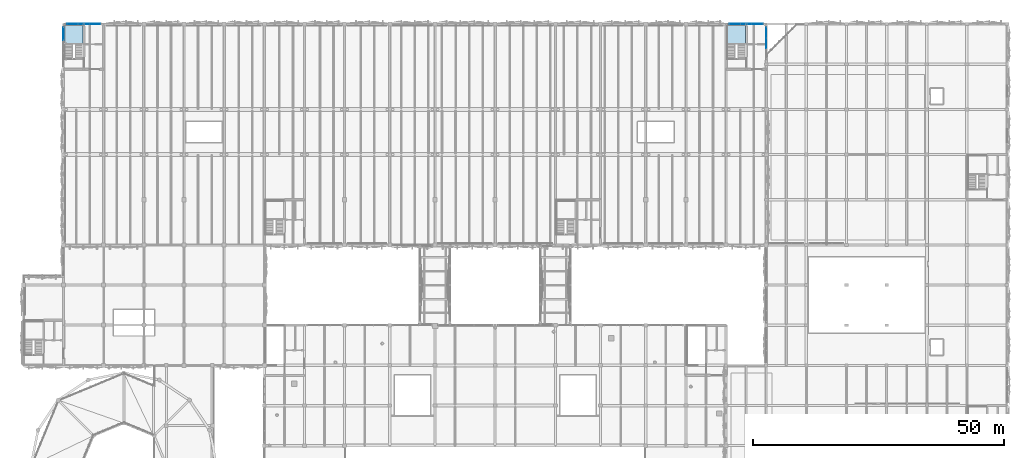
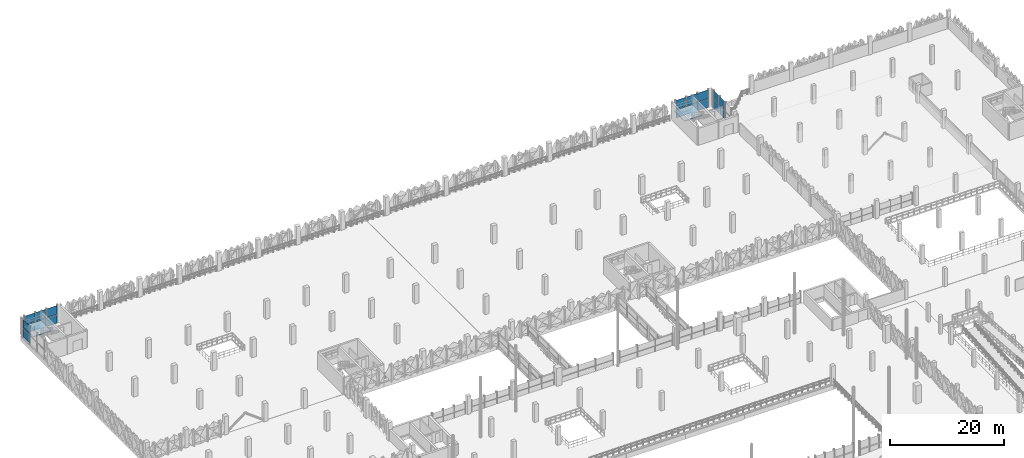
# One storey, part 66 of 123: 18 plates, 2 slabs, 6 elements without a shape of their own.
"""IFC4 building model written with IfcOpenShell, lengths in metres."""

from ifc_helpers import new_model, si_unit, derived_unit, direction, frame, origin, origin_2d, place, context, subcontext, project, spatial, polyline, rectangle, outline, extrude, material, layer, layer_set, type_object, element, aggregate, save


model = new_model("IFC4")

# Units and contexts
model_context = context("Model", 3, precision=1e-05, world=origin(), true_north=direction((0.0, 1.0)))
body_context = subcontext(model_context, "Body", "Model", "MODEL_VIEW")
ifc_project = project(units=[si_unit("LENGTHUNIT", "METRE"), si_unit("AREAUNIT", "SQUARE_METRE"), si_unit("VOLUMEUNIT", "CUBIC_METRE"), si_unit("PLANEANGLEUNIT", "RADIAN"), si_unit("MASSUNIT", "GRAM", prefix="KILO"), si_unit("THERMODYNAMICTEMPERATUREUNIT", "KELVIN"), derived_unit("THERMALTRANSMITTANCEUNIT", [(si_unit("POWERUNIT", "WATT"), 1), (si_unit("AREAUNIT", "SQUARE_METRE"), -1), (si_unit("THERMODYNAMICTEMPERATUREUNIT", "KELVIN"), -1)])], contexts=[model_context])

# Site, building, storey
site_placement = place(None, origin())
site = spatial("IfcSite", under=ifc_project, at=site_placement, CompositionType="ELEMENT")
building_placement = place(site_placement, origin())
building = spatial("IfcBuilding", under=site, at=building_placement, Name="Haiyu Intermodal Mobility Hub", CompositionType="ELEMENT")
storey_placement = place(building_placement, frame((0.0, 0.0, 5.60009765625)))
storey = spatial("IfcBuildingStorey", under=building, at=storey_placement, Name="L01", CompositionType="ELEMENT", Elevation=5.60009765625)

# Curtain wall, plates
ifc_material_1 = material(Name="Low-e laminated insulating glass", Category="glass")
ifc_layer_1 = layer(ifc_material_1, 0.199951171875)
ifc_layer_set_1 = layer_set([ifc_layer_1], Name="Low-e laminated insulating glass")
curtain_wall_type = type_object("IfcCurtainWallType", Name="CW-CW03", PredefinedType="NOTDEFINED", material=ifc_layer_set_1)
curtain_wall_1_placement = place(storey_placement, origin())
curtain_wall_1 = element("IfcCurtainWall", 1, at=curtain_wall_1_placement, inside=storey, type_object=curtain_wall_type, Name="Curtain Wall CW-C3N-L01-051", PredefinedType="NOTDEFINED")
ifc_layer_2 = layer(ifc_material_1, 0.0400390625)
ifc_layer_set_2 = layer_set([ifc_layer_2], Name="Low-e laminated insulating glass")
plate_type_1 = type_object("IfcPlateType", Name="PLT-CP03", PredefinedType="CURTAIN_PANEL", material=ifc_layer_set_2)
plate_1_placement = place(storey_placement, frame((28.22705078125, 148.0, 0.03466796875), z_axis=(0.0, 0.0, 1.0), x_axis=(-1.0, 0.0, 0.0)))
plate_1 = element("IfcPlate", 2, at=plate_1_placement, type_object=plate_type_1, Name="CW-C3N-L01-051-PN01", PredefinedType="CURTAIN_PANEL", context=body_context, shape_type="SweptSolid", body=[
    extrude(rectangle(XDim=2.136962890625, YDim=0.0400390625, at=origin_2d()), origin(), (0.0, 0.0, 1.0), 1.840087890625),
])
plate_2_placement = place(storey_placement, frame((26.0, 148.0, 0.03466796875), z_axis=(0.0, 0.0, 1.0), x_axis=(-1.0, 0.0, 0.0)))
plate_2 = element("IfcPlate", 3, at=plate_2_placement, type_object=plate_type_1, Name="CW-C3N-L01-051-PN03", PredefinedType="CURTAIN_PANEL", context=body_context, shape_type="SweptSolid", body=[
    extrude(rectangle(XDim=2.136962890625, YDim=0.0400390625, at=origin_2d()), origin(), (0.0, 0.0, 1.0), 1.840087890625),
])
plate_3_placement = place(storey_placement, frame((23.77294921875, 148.0, 0.03466796875), z_axis=(0.0, 0.0, 1.0), x_axis=(-1.0, 0.0, 0.0)))
plate_3 = element("IfcPlate", 4, at=plate_3_placement, type_object=plate_type_1, Name="CW-C3N-L01-051-PN05", PredefinedType="CURTAIN_PANEL", context=body_context, shape_type="SweptSolid", body=[
    extrude(rectangle(XDim=2.136962890625, YDim=0.0400390625, at=origin_2d()), origin(), (0.0, 0.0, 1.0), 1.840087890625),
])

# Curtain wall, plate
curtain_wall_2_placement = place(storey_placement, origin())
curtain_wall_2 = element("IfcCurtainWall", 5, at=curtain_wall_2_placement, inside=storey, type_object=curtain_wall_type, Name="Curtain Wall CW-C3S-L01-052", PredefinedType="NOTDEFINED")
plate_4_placement = place(storey_placement, frame((22.0, 146.06005859375, 0.03466796875), z_axis=(0.0, 0.0, 1.0), x_axis=(0.0, -1.0, 0.0)))
plate_4 = element("IfcPlate", 6, at=plate_4_placement, type_object=plate_type_1, Name="CW-C3S-L01-052-PN01", PredefinedType="CURTAIN_PANEL", context=body_context, shape_type="SweptSolid", body=[
    extrude(rectangle(XDim=2.469970703125, YDim=0.0400390625, at=origin_2d()), origin(), (0.0, 0.0, 1.0), 1.840087890625),
])

# Curtain wall, plates
curtain_wall_3_placement = place(storey_placement, origin())
curtain_wall_3 = element("IfcCurtainWall", 7, at=curtain_wall_3_placement, inside=storey, type_object=curtain_wall_type, Name="Curtain Wall CW-C4N-L01-065", PredefinedType="NOTDEFINED")
plate_5_placement = place(storey_placement, frame((160.22705078125, 148.0, 0.03466796875), z_axis=(0.0, 0.0, 1.0), x_axis=(-1.0, 0.0, 0.0)))
plate_5 = element("IfcPlate", 8, at=plate_5_placement, type_object=plate_type_1, Name="CW-C4N-L01-065-PN01", PredefinedType="CURTAIN_PANEL", context=body_context, shape_type="SweptSolid", body=[
    extrude(rectangle(XDim=2.136962890625, YDim=0.0400390625, at=origin_2d()), origin(), (0.0, 0.0, 1.0), 1.840087890625),
])
plate_6_placement = place(storey_placement, frame((158.0, 148.0, 0.03466796875), z_axis=(0.0, 0.0, 1.0), x_axis=(-1.0, 0.0, 0.0)))
plate_6 = element("IfcPlate", 9, at=plate_6_placement, type_object=plate_type_1, Name="CW-C4N-L01-065-PN03", PredefinedType="CURTAIN_PANEL", context=body_context, shape_type="SweptSolid", body=[
    extrude(rectangle(XDim=2.136962890625, YDim=0.0400390625, at=origin_2d()), origin(), (0.0, 0.0, 1.0), 1.840087890625),
])
plate_7_placement = place(storey_placement, frame((155.77294921875, 148.0, 0.03466796875), z_axis=(0.0, 0.0, 1.0), x_axis=(-1.0, 0.0, 0.0)))
plate_7 = element("IfcPlate", 10, at=plate_7_placement, type_object=plate_type_1, Name="CW-C4N-L01-065-PN05", PredefinedType="CURTAIN_PANEL", context=body_context, shape_type="SweptSolid", body=[
    extrude(rectangle(XDim=2.136962890625, YDim=0.0400390625, at=origin_2d()), origin(), (0.0, 0.0, 1.0), 1.840087890625),
])

curtain_wall_4_placement = place(storey_placement, origin())
curtain_wall_4 = element("IfcCurtainWall", 11, at=curtain_wall_4_placement, inside=storey, type_object=curtain_wall_type, Name="Curtain Wall CW-C4S-L01-066", PredefinedType="NOTDEFINED")
plate_8_placement = place(storey_placement, frame((162.0, 144.1650390625, 0.03466796875), z_axis=(0.0, 0.0, 1.0), x_axis=(0.0, 1.0, 0.0)))
plate_8 = element("IfcPlate", 12, at=plate_8_placement, type_object=plate_type_1, Name="CW-C4S-L01-066-PN03", PredefinedType="CURTAIN_PANEL", context=body_context, shape_type="SweptSolid", body=[
    extrude(rectangle(XDim=2.027099609375, YDim=0.0400390625, at=origin_2d()), origin(), (0.0, 0.0, 1.0), 1.840087890625),
])
plate_9_placement = place(storey_placement, frame((162.0, 146.281982421875, 0.03466796875), z_axis=(0.0, 0.0, 1.0), x_axis=(0.0, 1.0, 0.0)))
plate_9 = element("IfcPlate", 13, at=plate_9_placement, type_object=plate_type_1, Name="CW-C4S-L01-066-PN05", PredefinedType="CURTAIN_PANEL", context=body_context, shape_type="SweptSolid", body=[
    extrude(rectangle(XDim=2.027099609375, YDim=0.0400390625, at=origin_2d()), origin(), (0.0, 0.0, 1.0), 1.840087890625),
])

# Plate
ifc_layer_3 = layer(ifc_material_1, 0.0439453125)
ifc_layer_set_3 = layer_set([ifc_layer_3], Name="Low-e laminated insulating glass")
plate_type_2 = type_object("IfcPlateType", Name="PLT-CP04", PredefinedType="CURTAIN_PANEL", material=ifc_layer_set_3)
plate_10_placement = place(storey_placement, frame((28.22705078125, 148.0, 1.94482421875), z_axis=(0.0, 0.0, 1.0), x_axis=(-1.0, 0.0, 0.0)))
plate_10 = element("IfcPlate", 14, at=plate_10_placement, type_object=plate_type_2, Name="CW-C3N-L01-051-PN02", PredefinedType="CURTAIN_PANEL", context=body_context, shape_type="SweptSolid", body=[
    extrude(rectangle(XDim=2.136962890625, YDim=0.0439453125, at=origin_2d()), origin(), (0.0, 0.0, 1.0), 1.840087890625),
])

plate_11_placement = place(storey_placement, frame((26.0, 148.0, 1.94482421875), z_axis=(0.0, 0.0, 1.0), x_axis=(-1.0, 0.0, 0.0)))
plate_11 = element("IfcPlate", 15, at=plate_11_placement, type_object=plate_type_2, Name="CW-C3N-L01-051-PN04", PredefinedType="CURTAIN_PANEL", context=body_context, shape_type="SweptSolid", body=[
    extrude(rectangle(XDim=2.136962890625, YDim=0.0439453125, at=origin_2d()), origin(), (0.0, 0.0, 1.0), 1.840087890625),
])

plate_12_placement = place(storey_placement, frame((23.77294921875, 148.0, 1.94482421875), z_axis=(0.0, 0.0, 1.0), x_axis=(-1.0, 0.0, 0.0)))
plate_12 = element("IfcPlate", 16, at=plate_12_placement, type_object=plate_type_2, Name="CW-C3N-L01-051-PN06", PredefinedType="CURTAIN_PANEL", context=body_context, shape_type="SweptSolid", body=[
    extrude(rectangle(XDim=2.136962890625, YDim=0.0439453125, at=origin_2d()), origin(), (0.0, 0.0, 1.0), 1.840087890625),
])

aggregate(curtain_wall_1, [plate_1, plate_10, plate_2, plate_11, plate_3, plate_12])

plate_13_placement = place(storey_placement, frame((22.0, 146.06005859375, 1.94482421875), z_axis=(0.0, 0.0, 1.0), x_axis=(0.0, -1.0, 0.0)))
plate_13 = element("IfcPlate", 17, at=plate_13_placement, type_object=plate_type_2, Name="CW-C3S-L01-052-PN02", PredefinedType="CURTAIN_PANEL", context=body_context, shape_type="SweptSolid", body=[
    extrude(rectangle(XDim=2.469970703125, YDim=0.0439453125, at=origin_2d()), origin(), (0.0, 0.0, 1.0), 1.840087890625),
])

aggregate(curtain_wall_2, [plate_4, plate_13])

plate_14_placement = place(storey_placement, frame((160.22705078125, 148.0, 1.94482421875), z_axis=(0.0, 0.0, 1.0), x_axis=(-1.0, 0.0, 0.0)))
plate_14 = element("IfcPlate", 18, at=plate_14_placement, type_object=plate_type_2, Name="CW-C4N-L01-065-PN02", PredefinedType="CURTAIN_PANEL", context=body_context, shape_type="SweptSolid", body=[
    extrude(rectangle(XDim=2.136962890625, YDim=0.0439453125, at=origin_2d()), origin(), (0.0, 0.0, 1.0), 1.840087890625),
])

plate_15_placement = place(storey_placement, frame((158.0, 148.0, 1.94482421875), z_axis=(0.0, 0.0, 1.0), x_axis=(-1.0, 0.0, 0.0)))
plate_15 = element("IfcPlate", 19, at=plate_15_placement, type_object=plate_type_2, Name="CW-C4N-L01-065-PN04", PredefinedType="CURTAIN_PANEL", context=body_context, shape_type="SweptSolid", body=[
    extrude(rectangle(XDim=2.136962890625, YDim=0.0439453125, at=origin_2d()), origin(), (0.0, 0.0, 1.0), 1.840087890625),
])

plate_16_placement = place(storey_placement, frame((155.77294921875, 148.0, 1.94482421875), z_axis=(0.0, 0.0, 1.0), x_axis=(-1.0, 0.0, 0.0)))
plate_16 = element("IfcPlate", 20, at=plate_16_placement, type_object=plate_type_2, Name="CW-C4N-L01-065-PN06", PredefinedType="CURTAIN_PANEL", context=body_context, shape_type="SweptSolid", body=[
    extrude(rectangle(XDim=2.136962890625, YDim=0.0439453125, at=origin_2d()), origin(), (0.0, 0.0, 1.0), 1.840087890625),
])

aggregate(curtain_wall_3, [plate_5, plate_14, plate_6, plate_15, plate_7, plate_16])

plate_17_placement = place(storey_placement, frame((162.0, 144.1650390625, 1.94482421875), z_axis=(0.0, 0.0, 1.0), x_axis=(0.0, 1.0, 0.0)))
plate_17 = element("IfcPlate", 21, at=plate_17_placement, type_object=plate_type_2, Name="CW-C4S-L01-066-PN04", PredefinedType="CURTAIN_PANEL", context=body_context, shape_type="SweptSolid", body=[
    extrude(rectangle(XDim=2.027099609375, YDim=0.0439453125, at=origin_2d()), origin(), (0.0, 0.0, 1.0), 1.840087890625),
])

plate_18_placement = place(storey_placement, frame((162.0, 146.281982421875, 1.94482421875), z_axis=(0.0, 0.0, 1.0), x_axis=(0.0, 1.0, 0.0)))
plate_18 = element("IfcPlate", 22, at=plate_18_placement, type_object=plate_type_2, Name="CW-C4S-L01-066-PN06", PredefinedType="CURTAIN_PANEL", context=body_context, shape_type="SweptSolid", body=[
    extrude(rectangle(XDim=2.027099609375, YDim=0.0439453125, at=origin_2d()), origin(), (0.0, 0.0, 1.0), 1.840087890625),
])

aggregate(curtain_wall_4, [plate_8, plate_17, plate_9, plate_18])

# Stair, slab
ifc_material_2 = material(Name="Concrete C40", Category="concrete")
stair_type = type_object("IfcStairType", Name="STR-ST03", PredefinedType="HALF_TURN_STAIR", material=ifc_material_2)
stair_1_placement = place(storey_placement, origin())
stair_1 = element("IfcStair", 23, at=stair_1_placement, inside=storey, type_object=stair_type, Name="Exit Stair ST02 L01", PredefinedType="HALF_TURN_STAIR")
ifc_layer_4 = layer(ifc_material_2, 0.2099609375)
ifc_layer_set_4 = layer_set([ifc_layer_4], Name="Concrete C40")
slab_type = type_object("IfcSlabType", Name="SLB-SL13", PredefinedType="LANDING", material=ifc_layer_set_4)
slab_1_placement = place(storey_placement, frame((0.0, 0.0, 1.739990234375)))
slab_1 = element("IfcSlab", 24, at=slab_1_placement, type_object=slab_type, Name="Stair Half-Landing STR-C3-L01-LND", PredefinedType="LANDING", context=body_context, shape_type="SweptSolid", body=[
    extrude(outline(polyline([(22.219970703125, 144.1298828125), (25.8701171875, 144.1298828125), (25.8701171875, 147.780029296875), (22.219970703125, 147.780029296875), (22.219970703125, 144.1298828125)])), origin(), (0.0, 0.0, 1.0), 0.2099609375),
])
aggregate(stair_1, [slab_1])

stair_2_placement = place(storey_placement, origin())
stair_2 = element("IfcStair", 25, at=stair_2_placement, inside=storey, type_object=stair_type, Name="Exit Stair ST02 L01", PredefinedType="HALF_TURN_STAIR")
slab_2_placement = place(storey_placement, frame((0.0, 0.0, 1.739990234375)))
slab_2 = element("IfcSlab", 26, at=slab_2_placement, type_object=slab_type, Name="Stair Half-Landing STR-C4-L01-LND", PredefinedType="LANDING", context=body_context, shape_type="SweptSolid", body=[
    extrude(outline(polyline([(154.219970703125, 144.1298828125), (157.8701171875, 144.1298828125), (157.8701171875, 147.780029296875), (154.219970703125, 147.780029296875), (154.219970703125, 144.1298828125)])), origin(), (0.0, 0.0, 1.0), 0.2099609375),
])
aggregate(stair_2, [slab_2])

save(model, "model.ifc")
